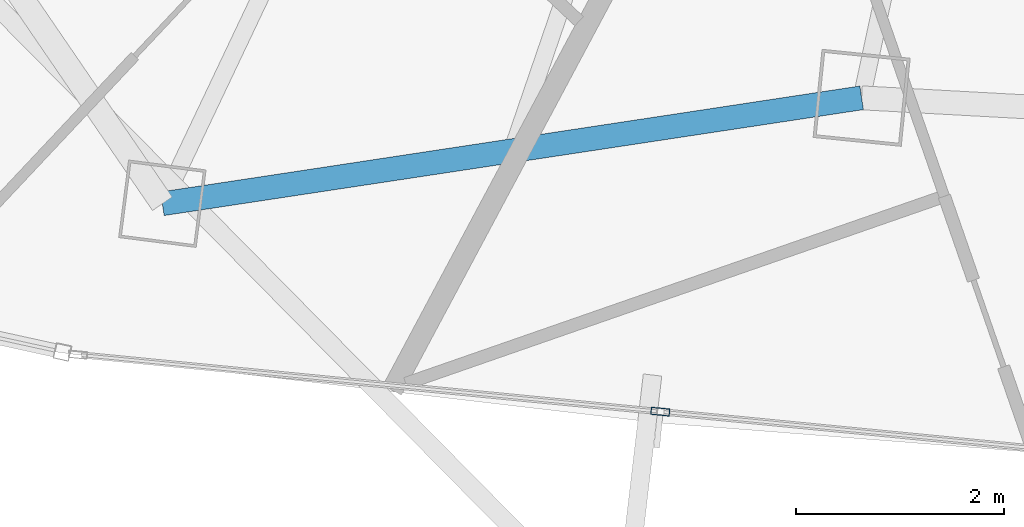
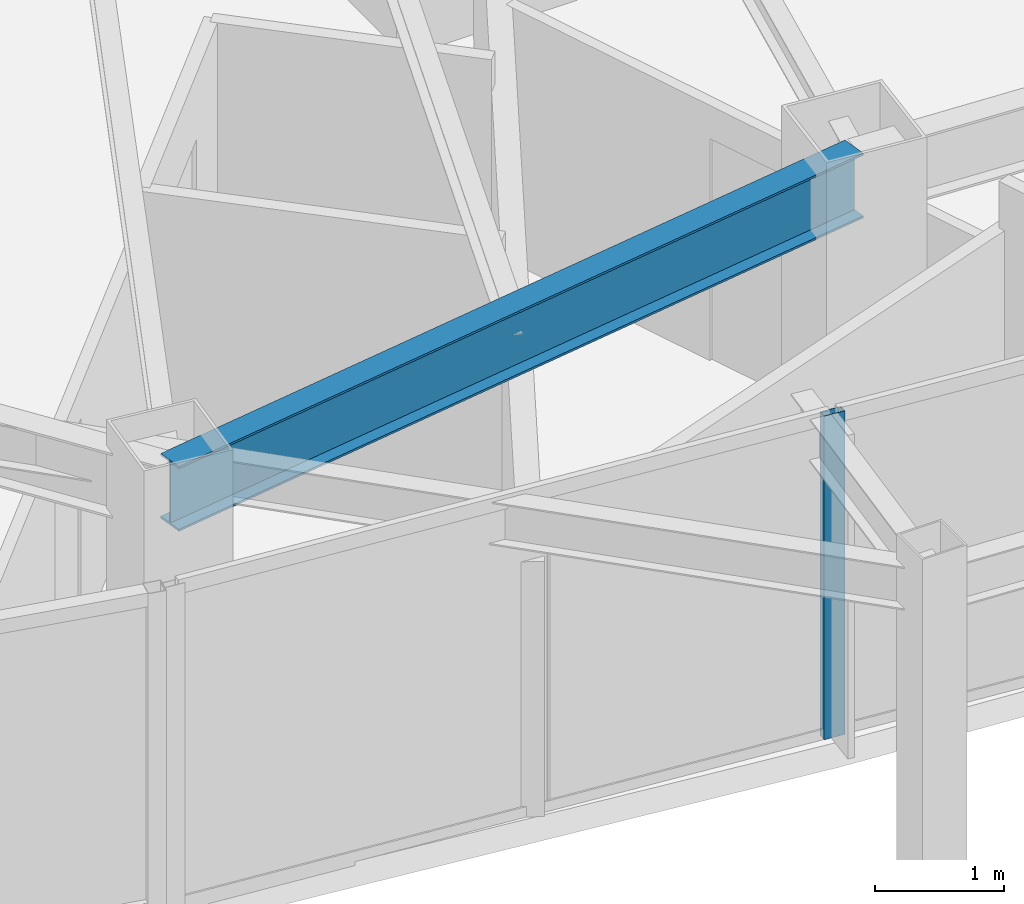
# One storey, part 4 of 29: 1 beam, 1 member, 1 element without a shape of its own.
"""IFC4 building model written with IfcOpenShell, lengths in metres."""

import ifcopenshell
import ifcopenshell.guid

model = None  # the IFC model being written
_history = None  # IfcOwnerHistory: only IFC2X3 demands one
_inside = {}  # id of a spatial element -> (the spatial element, [elements in it])
_under = {}  # id of a project, library or spatial element -> (it, [spatial elements below it])
_declared = {}  # id of a project -> (the project, [libraries it declares])
_typed = {}  # id of a type object -> (the type object, [elements of that type])
_made_of = {}  # id of a material, layer set ... -> (it, [elements and type objects made of it])


def new_model(schema):
    """Start an empty IFC model of exactly this schema.

    Asked for "IFC4X3", IfcOpenShell would pick the latest addendum, in which some entities
    have other attributes; the version numbers below select the first issue.
    IFC2X3 requires an IfcOwnerHistory on every rooted entity: one is made here for all.
    """
    global model, _history
    if schema == "IFC4X3":
        model = ifcopenshell.file(schema_version=(4, 3, 0, 0))
    else:
        model = ifcopenshell.file(schema=schema)
    _inside.clear()
    _under.clear()
    _declared.clear()
    _typed.clear()
    _made_of.clear()
    _history = None
    if model.schema == "IFC2X3":
        org = make("IfcOrganization", Name="unknown")
        user = make(
            "IfcPersonAndOrganization",
            ThePerson=make("IfcPerson", FamilyName="unknown"),
            TheOrganization=org,
        )
        app = make(
            "IfcApplication",
            ApplicationDeveloper=org,
            Version="unknown",
            ApplicationFullName="unknown",
            ApplicationIdentifier="unknown",
        )
        _history = make(
            "IfcOwnerHistory",
            OwningUser=user,
            OwningApplication=app,
            ChangeAction="ADDED",
            CreationDate=0,
        )
    return model


def make(cls, **values):
    """One entity of the class cls with the attributes given. An attribute that is None is left unset."""
    return model.create_entity(
        cls, **{name: value for name, value in values.items() if value is not None}
    )


def rooted(cls, **values):
    """An entity with a GlobalId (a new one), such as an element, a storey or a relation."""
    return make(cls, GlobalId=ifcopenshell.guid.new(), OwnerHistory=_history, **values)


def si_unit(unit_type, name, prefix=None):
    """IfcSIUnit, for example si_unit("LENGTHUNIT", "METRE", prefix="MILLI")."""
    return make("IfcSIUnit", UnitType=unit_type, Prefix=prefix, Name=name)


def assignment(units):
    """IfcUnitAssignment: the units of a project."""
    return None if units is None else make("IfcUnitAssignment", Units=units)


def point(xyz):
    """IfcCartesianPoint."""
    return None if xyz is None else make("IfcCartesianPoint", Coordinates=xyz)


def direction(xyz):
    """IfcDirection."""
    return None if xyz is None else make("IfcDirection", DirectionRatios=xyz)


def frame(location, z_axis=None, x_axis=None):
    """IfcAxis2Placement3D, a coordinate frame: its origin and axes. An axis left out is left unset."""
    return make(
        "IfcAxis2Placement3D",
        Location=point(location),
        Axis=direction(z_axis),
        RefDirection=direction(x_axis),
    )


def frame_2d(location, x_axis=None):
    """IfcAxis2Placement2D, a coordinate frame in the plane: its origin and x axis."""
    return make(
        "IfcAxis2Placement2D", Location=point(location), RefDirection=direction(x_axis)
    )


def origin():
    """The frame at (0, 0, 0) with its axes left unset."""
    return frame((0.0, 0.0, 0.0))


def origin_2d():
    """The frame at (0, 0) in the plane with its x axis left unset."""
    return frame_2d((0.0, 0.0))


def place(relative_to, where):
    """IfcLocalPlacement: puts the frame where relative to a parent placement (None: the world)."""
    return make(
        "IfcLocalPlacement", PlacementRelTo=relative_to, RelativePlacement=where
    )


def context(
    kind, dimensions, precision=None, world=None, true_north=None, identifier=None
):
    """IfcGeometricRepresentationContext, for example the 3D "Model" context."""
    return make(
        "IfcGeometricRepresentationContext",
        ContextIdentifier=identifier,
        ContextType=kind,
        CoordinateSpaceDimension=dimensions,
        Precision=precision,
        WorldCoordinateSystem=world,
        TrueNorth=true_north,
    )


def subcontext(parent, identifier, kind, view, scale=None):
    """IfcGeometricRepresentationSubContext, for example "Body" below "Model"."""
    return make(
        "IfcGeometricRepresentationSubContext",
        ContextIdentifier=identifier,
        ContextType=kind,
        ParentContext=parent,
        TargetScale=scale,
        TargetView=view,
    )


def project(units=None, contexts=None):
    """IfcProject with its units and contexts."""
    return rooted(
        "IfcProject",
        Name="project",
        RepresentationContexts=contexts,
        UnitsInContext=assignment(units),
    )


def spatial(cls, under=None, at=None, **own):
    """A site, building, storey or space (cls), placed at a placement, below another one or the project."""
    s = rooted(cls, ObjectPlacement=at, **own)
    if under is not None:
        _under.setdefault(under.id(), (under, []))[1].append(s)
    return s


def profile(cls, at=None, kind="AREA", **sizes):
    """A parametric profile (cls). Its sizes go by their IFC names, for example OverallWidth=200.0."""
    return make(cls, ProfileType=kind, Position=at, **sizes)


def hollow_rectangle(**sizes):
    """IfcRectangleHollowProfileDef."""
    return profile("IfcRectangleHollowProfileDef", **sizes)


def i_section(**sizes):
    """IfcIShapeProfileDef."""
    return profile("IfcIShapeProfileDef", **sizes)


def extrude(swept, where, along, depth):
    """IfcExtrudedAreaSolid: the profile swept, set in the frame where, extruded along a direction by depth."""
    return make(
        "IfcExtrudedAreaSolid",
        SweptArea=swept,
        Position=where,
        ExtrudedDirection=direction(along),
        Depth=depth,
    )


def shape(context_of_items, identifier, shape_type, items):
    """IfcShapeRepresentation: the items that make up one representation, for example the "Body"."""
    return make(
        "IfcShapeRepresentation",
        ContextOfItems=context_of_items,
        RepresentationIdentifier=identifier,
        RepresentationType=shape_type,
        Items=items,
    )


def material(Name=None, Category=None):
    """IfcMaterial."""
    return make("IfcMaterial", Name=Name, Category=Category)


def layer(
    of_material, thickness, ventilated=None, Name=None, Category=None, Priority=None
):
    """IfcMaterialLayer: one layer of a wall or slab, of a material (None: an air gap)."""
    return make(
        "IfcMaterialLayer",
        Material=of_material,
        LayerThickness=thickness,
        IsVentilated=ventilated,
        Name=Name,
        Category=Category,
        Priority=Priority,
    )


def layer_set(layers, Name=None):
    """IfcMaterialLayerSet."""
    return make("IfcMaterialLayerSet", MaterialLayers=layers, LayerSetName=Name)


def material_profile(
    of_material, cross_section, Name=None, Category=None, Priority=None
):
    """IfcMaterialProfile: a cross section and its material."""
    return make(
        "IfcMaterialProfile",
        Name=Name,
        Material=of_material,
        Profile=cross_section,
        Priority=Priority,
        Category=Category,
    )


def profile_set(profiles, Name=None, composite=None):
    """IfcMaterialProfileSet."""
    return make(
        "IfcMaterialProfileSet",
        Name=Name,
        MaterialProfiles=profiles,
        CompositeProfile=composite,
    )


def made_of(thing, what):
    """Note that an element or type object is made of a material, layer set ...; save() writes the relation."""
    if what is not None:
        _made_of.setdefault(what.id(), (what, []))[1].append(thing)
    return thing


def type_object(cls, material=None, **own):
    """A type object (cls), such as IfcWallType, which elements share."""
    return made_of(rooted(cls, **own), material)


def element(
    cls,
    number,
    at=None,
    inside=None,
    cuts=None,
    type_object=None,
    material=None,
    context=None,
    identifier="Body",
    shape_type=None,
    held_by="IfcProductDefinitionShape",
    body=None,
    shapes=None,
    **own,
):
    """One element of the class cls, such as IfcWall. Its Tag is "e" and its number.

    at: its placement. inside: the storey or other place that contains it. cuts: it is an
    opening in that element (IfcRelVoidsElement). A single representation is given by context,
    identifier, shape_type and body (its items); several are given by shapes. held_by: the class
    of the entity that holds the representations. save() writes the other relations.
    """
    e = rooted(cls, Tag="e%d" % number, ObjectPlacement=at, **own)
    if body is not None:
        shapes = [shape(context, identifier, shape_type, body)]
    if shapes is not None:
        e.Representation = make(held_by, Representations=shapes)
    if inside is not None:
        _inside.setdefault(inside.id(), (inside, []))[1].append(e)
    if cuts is not None:
        rooted(
            "IfcRelVoidsElement", RelatingBuildingElement=cuts, RelatedOpeningElement=e
        )
    if type_object is not None:
        _typed.setdefault(type_object.id(), (type_object, []))[1].append(e)
    return made_of(e, material)


def aggregate(whole, parts):
    """IfcRelAggregates: a whole, such as a stair, and the parts it consists of."""
    return rooted("IfcRelAggregates", RelatingObject=whole, RelatedObjects=parts)


def save(model, path):
    """Write the relations noted so far, then the file.

    IfcRelAggregates (storeys below a building ...), IfcRelContainedInSpatialStructure (elements
    in a storey), IfcRelDefinesByType, IfcRelAssociatesMaterial and IfcRelDeclares: one each for
    every whole, place, type object, material and project.
    """
    for whole, parts in _under.values():
        aggregate(whole, parts)
    for where, things in _inside.values():
        rooted(
            "IfcRelContainedInSpatialStructure",
            RelatedElements=things,
            RelatingStructure=where,
        )
    for kind, things in _typed.values():
        rooted("IfcRelDefinesByType", RelatedObjects=things, RelatingType=kind)
    for what, things in _made_of.values():
        rooted("IfcRelAssociatesMaterial", RelatedObjects=things, RelatingMaterial=what)
    for by, libraries in _declared.values():
        rooted("IfcRelDeclares", RelatingContext=by, RelatedDefinitions=libraries)
    model.write(path)


model = new_model("IFC4")

# Units and contexts
model_context = context("Model", 3, precision=1e-05, world=origin(), true_north=direction((0.0, 1.0)))
body_context = subcontext(model_context, "Body", "Model", "MODEL_VIEW")
ifc_project = project(units=[si_unit("LENGTHUNIT", "METRE"), si_unit("AREAUNIT", "SQUARE_METRE"), si_unit("VOLUMEUNIT", "CUBIC_METRE"), si_unit("PLANEANGLEUNIT", "RADIAN"), si_unit("MASSUNIT", "GRAM", prefix="KILO")], contexts=[model_context])

# Site, building, storey
site_placement = place(None, origin())
site = spatial("IfcSite", under=ifc_project, at=site_placement, CompositionType="ELEMENT")
building_placement = place(site_placement, origin())
building = spatial("IfcBuilding", under=site, at=building_placement, Name="Orvanel Arch Residences", CompositionType="ELEMENT")
storey_placement = place(building_placement, frame((0.0, 0.0, 160.550048828125)))
storey = spatial("IfcBuildingStorey", under=building, at=storey_placement, Name="L45", CompositionType="ELEMENT", Elevation=160.550048828125)

# Curtain wall, member
ifc_material_1 = material(Name="Bronze-anodised aluminium AA6063-T6", Category="aluminium")
ifc_layer = layer(ifc_material_1, 0.179931640625)
ifc_layer_set = layer_set([ifc_layer], Name="Bronze-anodised aluminium AA6063-T6")
curtain_wall_type = type_object("IfcCurtainWallType", Name="CW3-MID-SYS", PredefinedType="NOTDEFINED", material=ifc_layer_set)
curtain_wall_placement = place(storey_placement, origin())
curtain_wall = element("IfcCurtainWall", 1, at=curtain_wall_placement, inside=storey, type_object=curtain_wall_type, Name="L45 CW3-MID-SYS Unitised Curtain Wall", PredefinedType="NOTDEFINED")
ifc_material_profile_1 = material_profile(ifc_material_1, hollow_rectangle(XDim=0.070068359375, YDim=0.179931640625, WallThickness=0.00439453125, at=origin_2d()), Name="ALU180x70x4.5")
ifc_profile_set_1 = profile_set([ifc_material_profile_1], Name="Bronze-anodised aluminium AA6063-T6")
member_type = type_object("IfcMemberType", Name="MUL-180x70", PredefinedType="MULLION", material=ifc_profile_set_1)
member_placement = place(storey_placement, frame((21.717529296875, 4.344482421875, 0.0), z_axis=(0.0, 0.0, 1.0), x_axis=(0.097286031613, 0.995256463457, 0.0)))
member = element("IfcMember", 2, at=member_placement, type_object=member_type, Name="CW-S3 mullion 2", PredefinedType="MULLION", context=body_context, shape_type="SweptSolid", body=[
    extrude(hollow_rectangle(XDim=0.070068359375, YDim=0.179931640625, WallThickness=0.00439453125, at=origin_2d()), origin(), (0.0, 0.0, 1.0), 3.06005859375),
])
aggregate(curtain_wall, [member])

# Beam
ifc_material_2 = material(Name="Structural steel AS/NZS 3679.1 Grade 300 (300 MPa)", Category="steel")
ifc_material_profile_2 = material_profile(ifc_material_2, i_section(OverallWidth=0.22900390625, OverallDepth=0.612060546875, WebThickness=0.011962890625, FlangeThickness=0.01953125, at=origin_2d()), Name="610UB125")
ifc_profile_set_2 = profile_set([ifc_material_profile_2], Name="Structural steel AS/NZS 3679.1 Grade 300 (300 MPa)")
beam_type = type_object("IfcBeamType", Name="SP-610UB", PredefinedType="SPANDREL", material=ifc_profile_set_2)
beam_placement = place(storey_placement, frame((16.94091796875, 6.339111328125, 2.75390625), z_axis=(0.988726323014, 0.149733958002, 0.0), x_axis=(-0.149733958002, 0.988726323014, 0.0)))
element("IfcBeam", 3, at=beam_placement, inside=storey, type_object=beam_type, Name="L45 Perimeter Spandrel Beam 04", PredefinedType="SPANDREL", context=body_context, shape_type="SweptSolid", body=[
    extrude(i_section(OverallWidth=0.22900390625, OverallDepth=0.612060546875, WebThickness=0.011962890625, FlangeThickness=0.01953125, at=origin_2d()), origin(), (0.0, 0.0, 1.0), 6.784423828125),
])

save(model, "model.ifc")
